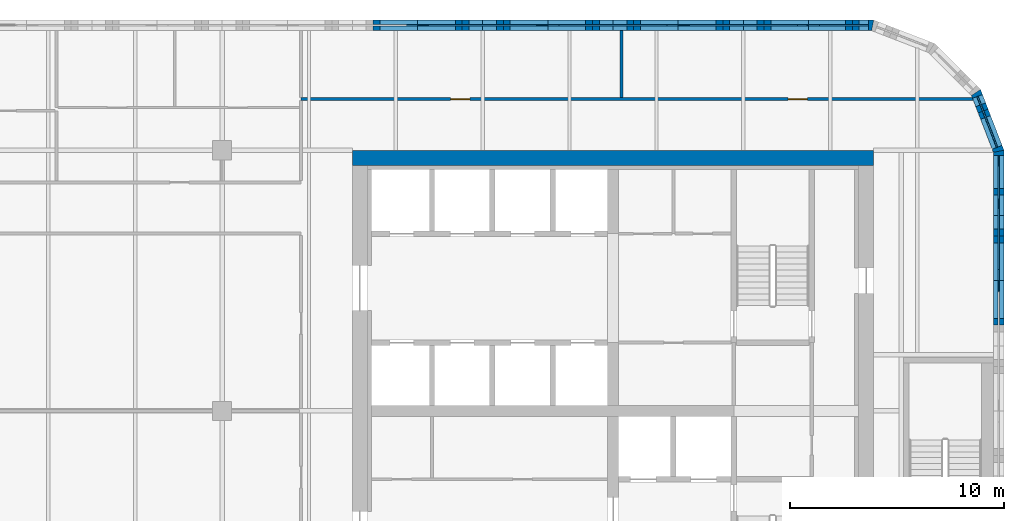
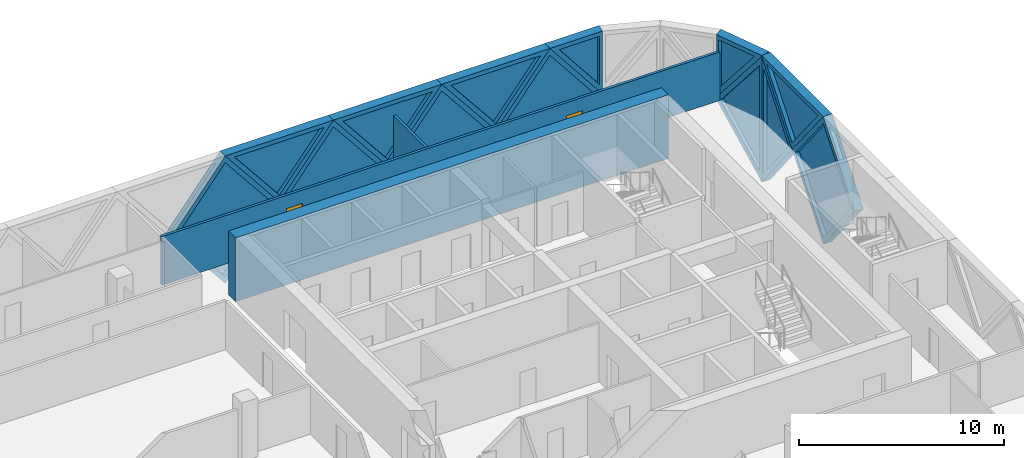
# One storey, part 13 of 15: 16 walls, 13 plates, 2 doors, 15 openings.
"""IFC4 building model written with IfcOpenShell, lengths in metres."""

from ifc_helpers import new_model, si_unit, direction, frame, frame_2d, origin, place, context, subcontext, project, spatial, polyline, rectangle, outline, extrude, faceted_brep, source, transform, mapped, material, layer, layer_set, type_object, element, fill, save


model = new_model("IFC4")

# Units and contexts
model_context = context("Model", 3, precision=1e-05, world=origin(), true_north=direction((0.0, 1.0)))
body_context = subcontext(model_context, "Body", "Model", "MODEL_VIEW")
ifc_project = project(units=[si_unit("LENGTHUNIT", "METRE"), si_unit("AREAUNIT", "SQUARE_METRE"), si_unit("VOLUMEUNIT", "CUBIC_METRE"), si_unit("PLANEANGLEUNIT", "RADIAN"), si_unit("MASSUNIT", "GRAM", prefix="KILO")], contexts=[model_context])

# Site, building, storey
site_placement = place(None, origin())
site = spatial("IfcSite", under=ifc_project, at=site_placement, CompositionType="ELEMENT")
building_placement = place(site_placement, origin())
building = spatial("IfcBuilding", under=site, at=building_placement, Name="Tessera Gate Towers", CompositionType="ELEMENT")
storey_placement = place(building_placement, frame((0.0, 0.0, 146.800048828125)))
storey = spatial("IfcBuildingStorey", under=building, at=storey_placement, Name="L36", CompositionType="ELEMENT", Elevation=146.800048828125)

# Wall
ifc_material_1 = material(Name="Concrete C60/75", Category="concrete")
ifc_layer_1 = layer(ifc_material_1, 0.699951171875)
ifc_layer_set_1 = layer_set([ifc_layer_1], Name="CORE SHEAR WALL 700 C60/75")
wall_type_1 = type_object("IfcWallType", Name="CORE SHEAR WALL 700 C60/75", PredefinedType="SHEAR", material=ifc_layer_set_1)
wall_1_placement = place(storey_placement, frame((30.5, 48.449951171875, 0.0), z_axis=(0.0, 0.0, 1.0), x_axis=(1.0, 0.0, 0.0)))
element("IfcWall", 1, at=wall_1_placement, inside=storey, type_object=wall_type_1, Name="Core wall N L36", PredefinedType="SHEAR", context=body_context, shape_type="SweptSolid", body=[
    extrude(rectangle(XDim=24.39990234375, YDim=0.699951171875, at=frame_2d((12.199951171875, 0.0))), origin(), (0.0, 0.0, 1.0), 3.800048828125),
])

# Wall, openings, doors
ifc_material_2 = material(Name="Gypsum board on steel studs, mineral wool", Category="steel")
ifc_layer_2 = layer(ifc_material_2, 0.14990234375)
ifc_layer_set_2 = layer_set([ifc_layer_2], Name="CORRIDOR WALL 150")
wall_type_2 = type_object("IfcWallType", Name="CORRIDOR WALL 150", PredefinedType="PARTITIONING", material=ifc_layer_set_2)
wall_2_placement = place(storey_placement, frame((28.10009765625, 51.199951171875, 0.0), z_axis=(0.0, 0.0, 1.0), x_axis=(1.0, 0.0, 0.0)))
wall_2 = element("IfcWall", 2, at=wall_2_placement, inside=storey, type_object=wall_type_2, Name="T1-L36-PW-052", PredefinedType="PARTITIONING", context=body_context, shape_type="SweptSolid", body=[
    extrude(rectangle(XDim=31.438232421875, YDim=0.14990234375, at=frame_2d((15.71923828125, 0.0))), origin(), (0.0, 0.0, 1.0), 2.887939453125),
])
shared_shape_1 = source(origin(), body_context, "Body", "SweptSolid", [
    extrude(rectangle(XDim=0.89990234375, YDim=2.10009765625, at=frame_2d((0.449951171875, 1.050048828125))), frame((0.0, 0.0849609375, 0.0), z_axis=(0.0, -1.0, 0.0), x_axis=(1.0, 0.0, 0.0)), (0.0, 0.0, 1.0), 0.169921875),
])
opening_1_placement = place(wall_2_placement, frame((7.0, 0.0, 0.0)))
opening_1 = element("IfcOpeningElement", 3, at=opening_1_placement, cuts=wall_2, Name="Opening D890FD60-A13-07", PredefinedType="OPENING", context=body_context, shape_type="MappedRepresentation", body=[
    mapped(shared_shape_1, transform((0.0, 0.0, 0.0), scale=1.0)),
])
opening_2_placement = place(wall_2_placement, frame((22.800048828125, 0.0, 0.0)))
opening_2 = element("IfcOpeningElement", 4, at=opening_2_placement, cuts=wall_2, Name="Opening D890FD60-A13-08", PredefinedType="OPENING", context=body_context, shape_type="MappedRepresentation", body=[
    mapped(shared_shape_1, transform((0.0, 0.0, 0.0), scale=1.0)),
])
ifc_material_3 = material(Name="Timber door leaf in steel frame", Category="steel")
door_type = type_object("IfcDoorType", Name="CORRIDOR DOOR 900 FD60", OperationType="NOTDEFINED", PredefinedType="DOOR", material=ifc_material_3)
shared_shape_2 = source(origin(), body_context, "Body", "SweptSolid", [
    extrude(rectangle(XDim=0.89990234375, YDim=2.10009765625, at=frame_2d((0.449951171875, 1.050048828125))), frame((0.0, 0.02490234375, 0.0), z_axis=(0.0, -1.0, 0.0), x_axis=(1.0, 0.0, 0.0)), (0.0, 0.0, 1.0), 0.050048828125),
])
door_1_placement = place(opening_1_placement, origin())
door_1 = element("IfcDoor", 5, at=door_1_placement, inside=storey, type_object=door_type, Name="T1-L36-PD-028", OperationType="SINGLE_SWING_LEFT", OverallHeight=2.10009765625, OverallWidth=0.89990234375, PredefinedType="DOOR", context=body_context, shape_type="MappedRepresentation", body=[
    mapped(shared_shape_2, transform((0.0, 0.0, 0.0), scale=1.0)),
])
fill(opening_1, door_1)
door_2_placement = place(opening_2_placement, origin())
door_2 = element("IfcDoor", 6, at=door_2_placement, inside=storey, type_object=door_type, Name="T1-L36-PD-029", OperationType="SINGLE_SWING_LEFT", OverallHeight=2.10009765625, OverallWidth=0.89990234375, PredefinedType="DOOR", context=body_context, shape_type="MappedRepresentation", body=[
    mapped(shared_shape_2, transform((0.0, 0.0, 0.0), scale=1.0)),
])
fill(opening_2, door_2)

# Wall
ifc_material_4 = material(Name="Gypsum board on steel studs, mineral wool", Category="steel")
ifc_layer_3 = layer(ifc_material_4, 0.14990234375)
ifc_layer_set_3 = layer_set([ifc_layer_3], Name="TENANCY WALL 150")
wall_type_3 = type_object("IfcWallType", Name="TENANCY WALL 150", PredefinedType="PARTITIONING", material=ifc_layer_set_3)
wall_3_placement = place(storey_placement, frame((43.10009765625, 51.27587890625, 0.0), z_axis=(0.0, 0.0, 1.0), x_axis=(0.0, 1.0, 0.0)))
element("IfcWall", 7, at=wall_3_placement, inside=storey, type_object=wall_type_3, Name="T1-L36-PW-054", PredefinedType="PARTITIONING", context=body_context, shape_type="SweptSolid", body=[
    extrude(rectangle(XDim=3.1240234375, YDim=0.14990234375, at=frame_2d((1.56201171875, 0.0))), origin(), (0.0, 0.0, 1.0), 2.887939453125),
])

# Wall, opening, plate
ifc_material_5 = material(Name="Precast concrete C60/75 white", Category="concrete")
ifc_layer_4 = layer(ifc_material_5, 0.5)
ifc_layer_set_4 = layer_set([ifc_layer_4], Name="TS1 tessera")
wall_type_4 = type_object("IfcWallType", Name="TS1 tessera", PredefinedType="SOLIDWALL", material=ifc_layer_set_4)
shared_shape_3 = source(origin(), body_context, "Body", "Brep", [
    faceted_brep([(3.00341796875, -0.25, 0.0), (6.053466796875, -0.25, 3.800048828125), (3.00341796875, -0.25, 7.60009765625), (0.0, -0.25, 3.800048828125), (0.046630859375, 0.25, 3.85888671875), (3.00341796875, 0.25, 7.60009765625), (6.053466796875, 0.25, 3.800048828125), (3.00341796875, 0.25, 0.0), (0.046630859375, 0.25, 3.7412109375), (0.0, 0.0, 3.800048828125)], [[[0, 1, 2, 3]], [[4, 5, 6, 7, 8]], [[7, 6, 1, 0]], [[6, 5, 2, 1]], [[5, 4, 9, 3, 2]], [[8, 7, 0, 3, 9]], [[8, 9, 4]]]),
])
wall_4_placement = place(storey_placement, frame((54.853515625, 54.64990234375, -3.800048828125), z_axis=(0.0, 0.0, 1.0), x_axis=(-1.0, 0.0, 0.0)))
wall_4 = element("IfcWall", 8, at=wall_4_placement, inside=storey, type_object=wall_type_4, Name="Precast tessera T1 TS1-0631", PredefinedType="SOLIDWALL", context=body_context, shape_type="MappedRepresentation", body=[
    mapped(shared_shape_3, transform((0.0, 0.0, 0.0), scale=1.0)),
])
shared_shape_4 = source(origin(), body_context, "Body", "SweptSolid", [
    extrude(outline(polyline([(3.0048828125, 0.4013671875), (5.73291015625, 3.800048828125), (3.0048828125, 7.19873046875), (0.318603515625, 3.800048828125), (3.0048828125, 0.4013671875)])), frame((0.0, 0.260009765625, 0.0), z_axis=(0.0, -1.0, 0.0), x_axis=(1.0, 0.0, 0.0)), (0.0, 0.0, 1.0), 0.52001953125),
])
opening_3_placement = place(wall_4_placement, origin())
opening_3 = element("IfcOpeningElement", 9, at=opening_3_placement, cuts=wall_4, Name="Opening T1-PL2-1287", PredefinedType="OPENING", context=body_context, shape_type="MappedRepresentation", body=[
    mapped(shared_shape_4, transform((0.0, 0.0, 0.0), scale=1.0)),
])
ifc_material_6 = material(Name="Low-e laminated glass", Category="glass")
ifc_layer_5 = layer(ifc_material_6, 0.06005859375)
ifc_layer_set_5 = layer_set([ifc_layer_5], Name="PL2 rhombic pane")
plate_type_1 = type_object("IfcPlateType", Name="PL2 rhombic pane", PredefinedType="SHEET", material=ifc_layer_set_5)
shared_shape_5 = source(origin(), body_context, "Body", "SweptSolid", [
    extrude(outline(polyline([(3.0048828125, 0.4013671875), (5.73291015625, 3.800048828125), (3.0048828125, 7.19873046875), (0.318603515625, 3.800048828125), (3.0048828125, 0.4013671875)])), frame((0.0, 0.030029296875, 0.0), z_axis=(0.0, -1.0, 0.0), x_axis=(1.0, 0.0, 0.0)), (0.0, 0.0, 1.0), 0.06005859375),
])
plate_1_placement = place(opening_3_placement, origin())
plate_1 = element("IfcPlate", 10, at=plate_1_placement, inside=storey, type_object=plate_type_1, Name="Glass pane T1 PL2-1287", PredefinedType="SHEET", context=body_context, shape_type="MappedRepresentation", body=[
    mapped(shared_shape_5, transform((0.0, 0.0, 0.0), scale=1.0)),
])
fill(opening_3, plate_1)

shared_shape_6 = source(origin(), body_context, "Body", "Brep", [
    faceted_brep([(3.050048828125, -0.25, 0.0), (6.099853515625, -0.25, 3.7998046875), (6.099853515625, -0.25, 3.80029296875), (3.050048828125, -0.25, 7.60009765625), (0.0, -0.25, 3.800048828125), (0.0, 0.25, 3.800048828125), (3.050048828125, 0.25, 7.60009765625), (6.099853515625, 0.25, 3.80029296875), (6.099853515625, 0.25, 3.7998046875), (3.050048828125, 0.25, 0.0)], [[[0, 1, 2, 3, 4]], [[5, 6, 7, 8, 9]], [[9, 8, 1, 0]], [[7, 6, 3, 2]], [[6, 5, 4, 3]], [[5, 9, 0, 4]], [[1, 8, 7, 2]]]),
])
wall_5_placement = place(storey_placement, frame((42.699951171875, 54.64990234375, -3.800048828125), z_axis=(0.0, 0.0, 1.0), x_axis=(-1.0, 0.0, 0.0)))
wall_5 = element("IfcWall", 11, at=wall_5_placement, inside=storey, type_object=wall_type_4, Name="Precast tessera T1 TS1-0633", PredefinedType="SOLIDWALL", context=body_context, shape_type="MappedRepresentation", body=[
    mapped(shared_shape_6, transform((0.0, 0.0, 0.0), scale=1.0)),
])
shared_shape_7 = source(origin(), body_context, "Body", "SweptSolid", [
    extrude(outline(polyline([(3.050048828125, 0.3994140625), (5.779541015625, 3.800048828125), (3.050048828125, 7.20068359375), (0.320556640625, 3.800048828125), (3.050048828125, 0.3994140625)])), frame((0.0, 0.260009765625, 0.0), z_axis=(0.0, -1.0, 0.0), x_axis=(1.0, 0.0, 0.0)), (0.0, 0.0, 1.0), 0.52001953125),
])
opening_4_placement = place(wall_5_placement, origin())
opening_4 = element("IfcOpeningElement", 12, at=opening_4_placement, cuts=wall_5, Name="Opening T1-PL2-1289", PredefinedType="OPENING", context=body_context, shape_type="MappedRepresentation", body=[
    mapped(shared_shape_7, transform((0.0, 0.0, 0.0), scale=1.0)),
])
shared_shape_8 = source(origin(), body_context, "Body", "SweptSolid", [
    extrude(outline(polyline([(3.050048828125, 0.3994140625), (5.779541015625, 3.800048828125), (3.050048828125, 7.20068359375), (0.320556640625, 3.800048828125), (3.050048828125, 0.3994140625)])), frame((0.0, 0.030029296875, 0.0), z_axis=(0.0, -1.0, 0.0), x_axis=(1.0, 0.0, 0.0)), (0.0, 0.0, 1.0), 0.06005859375),
])
plate_2_placement = place(opening_4_placement, origin())
plate_2 = element("IfcPlate", 13, at=plate_2_placement, inside=storey, type_object=plate_type_1, Name="Glass pane T1 PL2-1289", PredefinedType="SHEET", context=body_context, shape_type="MappedRepresentation", body=[
    mapped(shared_shape_8, transform((0.0, 0.0, 0.0), scale=1.0)),
])
fill(opening_4, plate_2)

shared_shape_9 = source(origin(), body_context, "Body", "SweptSolid", [
    extrude(outline(polyline([(3.050048828125, 0.0), (6.10009765625, 3.800048828125), (3.050048828125, 7.60009765625), (0.0, 3.800048828125), (3.050048828125, 0.0)])), frame((0.0, 0.25, 0.0), z_axis=(0.0, -1.0, 0.0), x_axis=(1.0, 0.0, 0.0)), (0.0, 0.0, 1.0), 0.5),
])
wall_6_placement = place(storey_placement, frame((60.75, 39.64990234375, -3.800048828125), z_axis=(0.0, 0.0, 1.0), x_axis=(0.0, 1.0, 0.0)))
wall_6 = element("IfcWall", 14, at=wall_6_placement, inside=storey, type_object=wall_type_4, Name="Precast tessera T1 TS1-0630", PredefinedType="SOLIDWALL", context=body_context, shape_type="MappedRepresentation", body=[
    mapped(shared_shape_9, transform((0.0, 0.0, 0.0), scale=1.0)),
])
opening_5_placement = place(wall_6_placement, origin())
opening_5 = element("IfcOpeningElement", 15, at=opening_5_placement, cuts=wall_6, Name="Opening T1-PL2-1282", PredefinedType="OPENING", context=body_context, shape_type="MappedRepresentation", body=[
    mapped(shared_shape_7, transform((0.0, 0.0, 0.0), scale=1.0)),
])
plate_3_placement = place(opening_5_placement, origin())
plate_3 = element("IfcPlate", 16, at=plate_3_placement, inside=storey, type_object=plate_type_1, Name="Glass pane T1 PL2-1282", PredefinedType="SHEET", context=body_context, shape_type="MappedRepresentation", body=[
    mapped(shared_shape_8, transform((0.0, 0.0, 0.0), scale=1.0)),
])
fill(opening_5, plate_3)

wall_7_placement = place(storey_placement, frame((48.800048828125, 54.64990234375, -3.800048828125), z_axis=(0.0, 0.0, 1.0), x_axis=(-1.0, 0.0, 0.0)))
wall_7 = element("IfcWall", 17, at=wall_7_placement, inside=storey, type_object=wall_type_4, Name="Precast tessera T1 TS1-0632", PredefinedType="SOLIDWALL", context=body_context, shape_type="MappedRepresentation", body=[
    mapped(shared_shape_9, transform((0.0, 0.0, 0.0), scale=1.0)),
])
opening_6_placement = place(wall_7_placement, origin())
opening_6 = element("IfcOpeningElement", 18, at=opening_6_placement, cuts=wall_7, Name="Opening T1-PL2-1288", PredefinedType="OPENING", context=body_context, shape_type="MappedRepresentation", body=[
    mapped(shared_shape_7, transform((0.0, 0.0, 0.0), scale=1.0)),
])
plate_4_placement = place(opening_6_placement, origin())
plate_4 = element("IfcPlate", 19, at=plate_4_placement, inside=storey, type_object=plate_type_1, Name="Glass pane T1 PL2-1288", PredefinedType="SHEET", context=body_context, shape_type="MappedRepresentation", body=[
    mapped(shared_shape_8, transform((0.0, 0.0, 0.0), scale=1.0)),
])
fill(opening_6, plate_4)

wall_8_placement = place(storey_placement, frame((36.60009765625, 54.64990234375, -3.800048828125), z_axis=(0.0, 0.0, 1.0), x_axis=(-1.0, 0.0, 0.0)))
wall_8 = element("IfcWall", 20, at=wall_8_placement, inside=storey, type_object=wall_type_4, Name="Precast tessera T1 TS1-0634", PredefinedType="SOLIDWALL", context=body_context, shape_type="MappedRepresentation", body=[
    mapped(shared_shape_9, transform((0.0, 0.0, 0.0), scale=1.0)),
])
opening_7_placement = place(wall_8_placement, origin())
opening_7 = element("IfcOpeningElement", 21, at=opening_7_placement, cuts=wall_8, Name="Opening T1-PL2-1290", PredefinedType="OPENING", context=body_context, shape_type="MappedRepresentation", body=[
    mapped(shared_shape_7, transform((0.0, 0.0, 0.0), scale=1.0)),
])
plate_5_placement = place(opening_7_placement, origin())
plate_5 = element("IfcPlate", 22, at=plate_5_placement, inside=storey, type_object=plate_type_1, Name="Glass pane T1 PL2-1290", PredefinedType="SHEET", context=body_context, shape_type="MappedRepresentation", body=[
    mapped(shared_shape_8, transform((0.0, 0.0, 0.0), scale=1.0)),
])
fill(opening_7, plate_5)

ifc_material_7 = material(Name="Precast concrete C60/75 white", Category="concrete")
ifc_layer_6 = layer(ifc_material_7, 0.5)
ifc_layer_set_6 = layer_set([ifc_layer_6], Name="TS3 corner tessera")
wall_type_5 = type_object("IfcWallType", Name="TS3 corner tessera", PredefinedType="SOLIDWALL", material=ifc_layer_set_6)
shared_shape_10 = source(origin(), body_context, "Body", "Brep", [
    faceted_brep([(3.00341796875, -0.25, 0.0), (3.050048828125, -0.25, 0.06005859375), (3.050048828125, -0.25, 7.5400390625), (3.00341796875, -0.25, 7.60009765625), (0.0, -0.25, 3.800048828125), (0.0, 0.25, 3.800048828125), (2.956787109375, 0.25, 7.541259765625), (2.956787109375, 0.25, 0.058837890625), (3.00341796875, 0.000244140625, 0.0), (3.00341796875, 0.000244140625, 7.60009765625)], [[[0, 1, 2, 3, 4]], [[5, 6, 7]], [[1, 0, 8]], [[9, 3, 2]], [[6, 5, 4, 3, 9]], [[5, 7, 8, 0, 4]], [[1, 8, 7, 6, 9, 2]]]),
])
wall_9_placement = place(storey_placement, frame((60.75, 45.75, -3.800048828125), z_axis=(0.0, 0.0, 1.0), x_axis=(0.0, 1.0, 0.0)))
wall_9 = element("IfcWall", 23, at=wall_9_placement, inside=storey, type_object=wall_type_5, Name="Precast corner tessera T1 TS3-0821", PredefinedType="SOLIDWALL", context=body_context, shape_type="MappedRepresentation", body=[
    mapped(shared_shape_10, transform((0.0, 0.0, 0.0), scale=1.0)),
])
shared_shape_11 = source(origin(), body_context, "Body", "SweptSolid", [
    extrude(outline(polyline([(2.803466796875, 6.94384765625), (0.318603515625, 3.800048828125), (2.803466796875, 0.65625), (2.803466796875, 6.94384765625)])), frame((0.0, 0.260009765625, 0.0), z_axis=(0.0, -1.0, 0.0), x_axis=(1.0, 0.0, 0.0)), (0.0, 0.0, 1.0), 0.52001953125),
])
opening_8_placement = place(wall_9_placement, origin())
opening_8 = element("IfcOpeningElement", 24, at=opening_8_placement, cuts=wall_9, Name="Opening T1-PL2-1283", PredefinedType="OPENING", context=body_context, shape_type="MappedRepresentation", body=[
    mapped(shared_shape_11, transform((0.0, 0.0, 0.0), scale=1.0)),
])
shared_shape_12 = source(origin(), body_context, "Body", "SweptSolid", [
    extrude(outline(polyline([(2.803466796875, 6.94384765625), (0.318603515625, 3.800048828125), (2.803466796875, 0.65625), (2.803466796875, 6.94384765625)])), frame((0.0, 0.030029296875, 0.0), z_axis=(0.0, -1.0, 0.0), x_axis=(1.0, 0.0, 0.0)), (0.0, 0.0, 1.0), 0.06005859375),
])
plate_6_placement = place(opening_8_placement, origin())
plate_6 = element("IfcPlate", 25, at=plate_6_placement, inside=storey, type_object=plate_type_1, Name="Glass pane T1 PL2-1283", PredefinedType="SHEET", context=body_context, shape_type="MappedRepresentation", body=[
    mapped(shared_shape_12, transform((0.0, 0.0, 0.0), scale=1.0)),
])
fill(opening_8, plate_6)

shared_shape_13 = source(origin(), body_context, "Body", "Brep", [
    faceted_brep([(0.046630859375, -0.25, 0.0), (2.9970703125, -0.25, 3.800048828125), (0.046630859375, -0.25, 7.60009765625), (0.0, -0.25, 7.541259765625), (0.0, -0.25, 0.058837890625), (0.09326171875, 0.25, 7.5400390625), (2.9443359375, 0.25, 3.8681640625), (2.9443359375, 0.25, 3.73193359375), (0.09326171875, 0.25, 0.06005859375), (2.9970703125, 0.00048828125, 3.800048828125), (0.046630859375, 0.0, 0.0), (0.046630859375, 0.0, 7.60009765625)], [[[0, 1, 2, 3, 4]], [[5, 6, 7, 8]], [[8, 7, 9, 1, 0, 10]], [[6, 5, 11, 2, 1, 9]], [[3, 2, 11]], [[10, 0, 4]], [[8, 10, 4, 3, 11, 5]], [[9, 7, 6]]]),
])
wall_10_placement = place(storey_placement, frame((60.766845703125, 48.7099609375, -3.800048828125), z_axis=(0.0, 0.0, 1.0), x_axis=(-0.359901446078, 0.932990326376, 0.0)))
wall_10 = element("IfcWall", 26, at=wall_10_placement, inside=storey, type_object=wall_type_5, Name="Precast corner tessera T1 TS3-0822", PredefinedType="SOLIDWALL", context=body_context, shape_type="MappedRepresentation", body=[
    mapped(shared_shape_13, transform((0.0, 0.0, 0.0), scale=1.0)),
])
shared_shape_14 = source(origin(), body_context, "Body", "SweptSolid", [
    extrude(outline(polyline([(0.24658203125, 0.665283203125), (2.6806640625, 3.800048828125), (0.24658203125, 6.934814453125), (0.24658203125, 0.665283203125)])), frame((0.0, 0.260009765625, 0.0), z_axis=(0.0, -1.0, 0.0), x_axis=(1.0, 0.0, 0.0)), (0.0, 0.0, 1.0), 0.52001953125),
])
opening_9_placement = place(wall_10_placement, origin())
opening_9 = element("IfcOpeningElement", 27, at=opening_9_placement, cuts=wall_10, Name="Opening T1-PL2-1284", PredefinedType="OPENING", context=body_context, shape_type="MappedRepresentation", body=[
    mapped(shared_shape_14, transform((0.0, 0.0, 0.0), scale=1.0)),
])
shared_shape_15 = source(origin(), body_context, "Body", "SweptSolid", [
    extrude(outline(polyline([(0.24658203125, 0.665283203125), (2.6806640625, 3.800048828125), (0.24658203125, 6.934814453125), (0.24658203125, 0.665283203125)])), frame((0.0, 0.030029296875, 0.0), z_axis=(0.0, -1.0, 0.0), x_axis=(1.0, 0.0, 0.0)), (0.0, 0.0, 1.0), 0.06005859375),
])
plate_7_placement = place(opening_9_placement, origin())
plate_7 = element("IfcPlate", 28, at=plate_7_placement, inside=storey, type_object=plate_type_1, Name="Glass pane T1 PL2-1284", PredefinedType="SHEET", context=body_context, shape_type="MappedRepresentation", body=[
    mapped(shared_shape_15, transform((0.0, 0.0, 0.0), scale=1.0)),
])
fill(opening_9, plate_7)

shared_shape_16 = source(origin(), body_context, "Body", "Brep", [
    faceted_brep([(0.046630859375, -0.25, 0.0), (3.050048828125, -0.25, 3.800048828125), (0.0, -0.25, 3.800048828125), (0.0, -0.25, 0.06005859375), (0.09326171875, 0.25, 3.800048828125), (3.050048828125, 0.25, 3.800048828125), (0.09326171875, 0.25, 0.058837890625), (0.046630859375, 0.0, 0.0)], [[[0, 1, 2, 3]], [[4, 5, 6]], [[6, 5, 1, 0, 7]], [[5, 4, 2, 1]], [[7, 0, 3]], [[6, 7, 3, 2, 4]]]),
])
wall_11_placement = place(storey_placement, frame((54.900146484375, 54.64990234375, 0.0), z_axis=(0.0, 0.0, 1.0), x_axis=(-1.0, 0.0, 0.0)))
wall_11 = element("IfcWall", 29, at=wall_11_placement, inside=storey, type_object=wall_type_5, Name="Precast corner tessera T1 TS3-0850", PredefinedType="SOLIDWALL", context=body_context, shape_type="MappedRepresentation", body=[
    mapped(shared_shape_16, transform((0.0, 0.0, 0.0), scale=1.0)),
])
shared_shape_17 = source(origin(), body_context, "Body", "SweptSolid", [
    extrude(outline(polyline([(0.24658203125, 0.65625), (2.533935546875, 3.550048828125), (0.24658203125, 3.550048828125), (0.24658203125, 0.65625)])), frame((0.0, 0.260009765625, 0.0), z_axis=(0.0, -1.0, 0.0), x_axis=(1.0, 0.0, 0.0)), (0.0, 0.0, 1.0), 0.52001953125),
])
opening_10_placement = place(wall_11_placement, origin())
opening_10 = element("IfcOpeningElement", 30, at=opening_10_placement, cuts=wall_11, Name="Opening T1-PL1-0348", PredefinedType="OPENING", context=body_context, shape_type="MappedRepresentation", body=[
    mapped(shared_shape_17, transform((0.0, 0.0, 0.0), scale=1.0)),
])
ifc_material_8 = material(Name="Low-e laminated glass", Category="glass")
ifc_layer_7 = layer(ifc_material_8, 0.06005859375)
ifc_layer_set_7 = layer_set([ifc_layer_7], Name="PL1 triangular pane")
plate_type_2 = type_object("IfcPlateType", Name="PL1 triangular pane", PredefinedType="SHEET", material=ifc_layer_set_7)
shared_shape_18 = source(origin(), body_context, "Body", "SweptSolid", [
    extrude(outline(polyline([(0.24658203125, 0.65625), (2.533935546875, 3.550048828125), (0.24658203125, 3.550048828125), (0.24658203125, 0.65625)])), frame((0.0, 0.030029296875, 0.0), z_axis=(0.0, -1.0, 0.0), x_axis=(1.0, 0.0, 0.0)), (0.0, 0.0, 1.0), 0.06005859375),
])
plate_8_placement = place(opening_10_placement, origin())
plate_8 = element("IfcPlate", 31, at=plate_8_placement, inside=storey, type_object=plate_type_2, Name="Glass pane T1 PL1-0348", PredefinedType="SHEET", context=body_context, shape_type="MappedRepresentation", body=[
    mapped(shared_shape_18, transform((0.0, 0.0, 0.0), scale=1.0)),
])
fill(opening_10, plate_8)

ifc_material_9 = material(Name="Precast concrete C60/75 white", Category="concrete")
ifc_layer_8 = layer(ifc_material_9, 0.5)
ifc_layer_set_8 = layer_set([ifc_layer_8], Name="TS2 half tessera")
wall_type_6 = type_object("IfcWallType", Name="TS2 half tessera", PredefinedType="SOLIDWALL", material=ifc_layer_set_8)
shared_shape_19 = source(origin(), body_context, "Body", "Brep", [
    faceted_brep([(3.050048828125, -0.25, 0.0), (6.099853515625, -0.25, 3.7998046875), (6.099853515625, -0.25, 3.800048828125), (0.0, -0.25, 3.800048828125), (0.0, 0.25, 3.800048828125), (6.099853515625, 0.25, 3.800048828125), (6.099853515625, 0.25, 3.7998046875), (3.050048828125, 0.25, 0.0)], [[[0, 1, 2, 3]], [[4, 5, 6, 7]], [[7, 6, 1, 0]], [[5, 4, 3, 2]], [[4, 7, 0, 3]], [[1, 6, 5, 2]]]),
])
wall_12_placement = place(storey_placement, frame((39.64990234375, 54.64990234375, 0.0), z_axis=(0.0, 0.0, 1.0), x_axis=(-1.0, 0.0, 0.0)))
wall_12 = element("IfcWall", 32, at=wall_12_placement, inside=storey, type_object=wall_type_6, Name="Precast half tessera T1 TS2-0173", PredefinedType="SOLIDWALL", context=body_context, shape_type="MappedRepresentation", body=[
    mapped(shared_shape_19, transform((0.0, 0.0, 0.0), scale=1.0)),
])
shared_shape_20 = source(origin(), body_context, "Body", "SweptSolid", [
    extrude(outline(polyline([(3.050048828125, 0.3994140625), (5.578857421875, 3.550048828125), (0.521240234375, 3.550048828125), (3.050048828125, 0.3994140625)])), frame((0.0, 0.260009765625, 0.0), z_axis=(0.0, -1.0, 0.0), x_axis=(1.0, 0.0, 0.0)), (0.0, 0.0, 1.0), 0.52001953125),
])
opening_11_placement = place(wall_12_placement, origin())
opening_11 = element("IfcOpeningElement", 33, at=opening_11_placement, cuts=wall_12, Name="Opening T1-PL1-0351", PredefinedType="OPENING", context=body_context, shape_type="MappedRepresentation", body=[
    mapped(shared_shape_20, transform((0.0, 0.0, 0.0), scale=1.0)),
])
shared_shape_21 = source(origin(), body_context, "Body", "SweptSolid", [
    extrude(outline(polyline([(3.050048828125, 0.3994140625), (5.578857421875, 3.550048828125), (0.521240234375, 3.550048828125), (3.050048828125, 0.3994140625)])), frame((0.0, 0.030029296875, 0.0), z_axis=(0.0, -1.0, 0.0), x_axis=(1.0, 0.0, 0.0)), (0.0, 0.0, 1.0), 0.06005859375),
])
plate_9_placement = place(opening_11_placement, origin())
plate_9 = element("IfcPlate", 34, at=plate_9_placement, inside=storey, type_object=plate_type_2, Name="Glass pane T1 PL1-0351", PredefinedType="SHEET", context=body_context, shape_type="MappedRepresentation", body=[
    mapped(shared_shape_21, transform((0.0, 0.0, 0.0), scale=1.0)),
])
fill(opening_11, plate_9)

shared_shape_22 = source(origin(), body_context, "Body", "SweptSolid", [
    extrude(outline(polyline([(3.050048828125, 0.0), (6.10009765625, 3.800048828125), (0.0, 3.800048828125), (3.050048828125, 0.0)])), frame((0.0, 0.25, 0.0), z_axis=(0.0, -1.0, 0.0), x_axis=(1.0, 0.0, 0.0)), (0.0, 0.0, 1.0), 0.5),
])
wall_13_placement = place(storey_placement, frame((51.85009765625, 54.64990234375, 0.0), z_axis=(0.0, 0.0, 1.0), x_axis=(-1.0, 0.0, 0.0)))
wall_13 = element("IfcWall", 35, at=wall_13_placement, inside=storey, type_object=wall_type_6, Name="Precast half tessera T1 TS2-0171", PredefinedType="SOLIDWALL", context=body_context, shape_type="MappedRepresentation", body=[
    mapped(shared_shape_22, transform((0.0, 0.0, 0.0), scale=1.0)),
])
opening_12_placement = place(wall_13_placement, origin())
opening_12 = element("IfcOpeningElement", 36, at=opening_12_placement, cuts=wall_13, Name="Opening T1-PL1-0349", PredefinedType="OPENING", context=body_context, shape_type="MappedRepresentation", body=[
    mapped(shared_shape_20, transform((0.0, 0.0, 0.0), scale=1.0)),
])
plate_10_placement = place(opening_12_placement, origin())
plate_10 = element("IfcPlate", 37, at=plate_10_placement, inside=storey, type_object=plate_type_2, Name="Glass pane T1 PL1-0349", PredefinedType="SHEET", context=body_context, shape_type="MappedRepresentation", body=[
    mapped(shared_shape_21, transform((0.0, 0.0, 0.0), scale=1.0)),
])
fill(opening_12, plate_10)

wall_14_placement = place(storey_placement, frame((45.75, 54.64990234375, 0.0), z_axis=(0.0, 0.0, 1.0), x_axis=(-1.0, 0.0, 0.0)))
wall_14 = element("IfcWall", 38, at=wall_14_placement, inside=storey, type_object=wall_type_6, Name="Precast half tessera T1 TS2-0172", PredefinedType="SOLIDWALL", context=body_context, shape_type="MappedRepresentation", body=[
    mapped(shared_shape_22, transform((0.0, 0.0, 0.0), scale=1.0)),
])
opening_13_placement = place(wall_14_placement, origin())
opening_13 = element("IfcOpeningElement", 39, at=opening_13_placement, cuts=wall_14, Name="Opening T1-PL1-0350", PredefinedType="OPENING", context=body_context, shape_type="MappedRepresentation", body=[
    mapped(shared_shape_20, transform((0.0, 0.0, 0.0), scale=1.0)),
])
plate_11_placement = place(opening_13_placement, origin())
plate_11 = element("IfcPlate", 40, at=plate_11_placement, inside=storey, type_object=plate_type_2, Name="Glass pane T1 PL1-0350", PredefinedType="SHEET", context=body_context, shape_type="MappedRepresentation", body=[
    mapped(shared_shape_21, transform((0.0, 0.0, 0.0), scale=1.0)),
])
fill(opening_13, plate_11)

shared_shape_23 = source(origin(), body_context, "Body", "Brep", [
    faceted_brep([(3.050048828125, -0.25, 0.0), (6.053466796875, -0.25, 3.800048828125), (0.0, -0.25, 3.800048828125), (0.0, 0.25, 3.800048828125), (6.0068359375, 0.25, 3.800048828125), (6.0068359375, 0.25, 3.7412109375), (3.050048828125, 0.25, 0.0), (6.053466796875, 0.0, 3.800048828125)], [[[0, 1, 2]], [[3, 4, 5, 6]], [[6, 5, 7, 1, 0]], [[4, 3, 2, 1, 7]], [[3, 6, 0, 2]], [[5, 4, 7]]]),
])
wall_15_placement = place(storey_placement, frame((60.75, 42.699951171875, 0.0), z_axis=(0.0, 0.0, 1.0), x_axis=(0.0, 1.0, 0.0)))
wall_15 = element("IfcWall", 41, at=wall_15_placement, inside=storey, type_object=wall_type_6, Name="Precast half tessera T1 TS2-0170", PredefinedType="SOLIDWALL", context=body_context, shape_type="MappedRepresentation", body=[
    mapped(shared_shape_23, transform((0.0, 0.0, 0.0), scale=1.0)),
])
shared_shape_24 = source(origin(), body_context, "Body", "SweptSolid", [
    extrude(outline(polyline([(3.048583984375, 0.401123046875), (5.537109375, 3.550048828125), (0.521240234375, 3.550048828125), (3.048583984375, 0.401123046875)])), frame((0.0, 0.260009765625, 0.0), z_axis=(0.0, -1.0, 0.0), x_axis=(1.0, 0.0, 0.0)), (0.0, 0.0, 1.0), 0.52001953125),
])
opening_14_placement = place(wall_15_placement, origin())
opening_14 = element("IfcOpeningElement", 42, at=opening_14_placement, cuts=wall_15, Name="Opening T1-PL1-0344", PredefinedType="OPENING", context=body_context, shape_type="MappedRepresentation", body=[
    mapped(shared_shape_24, transform((0.0, 0.0, 0.0), scale=1.0)),
])
shared_shape_25 = source(origin(), body_context, "Body", "SweptSolid", [
    extrude(outline(polyline([(3.048583984375, 0.401123046875), (5.537109375, 3.550048828125), (0.521240234375, 3.550048828125), (3.048583984375, 0.401123046875)])), frame((0.0, 0.030029296875, 0.0), z_axis=(0.0, -1.0, 0.0), x_axis=(1.0, 0.0, 0.0)), (0.0, 0.0, 1.0), 0.06005859375),
])
plate_12_placement = place(opening_14_placement, origin())
plate_12 = element("IfcPlate", 43, at=plate_12_placement, inside=storey, type_object=plate_type_2, Name="Glass pane T1 PL1-0344", PredefinedType="SHEET", context=body_context, shape_type="MappedRepresentation", body=[
    mapped(shared_shape_25, transform((0.0, 0.0, 0.0), scale=1.0)),
])
fill(opening_14, plate_12)

shared_shape_26 = source(origin(), body_context, "Body", "Brep", [
    faceted_brep([(2.950439453125, -0.25, 0.0), (3.00341796875, -0.25, 0.068359375), (3.00341796875, -0.25, 3.800048828125), (0.0, -0.25, 3.800048828125), (0.046630859375, 0.25, 3.800048828125), (2.897705078125, 0.25, 3.800048828125), (2.897705078125, 0.25, 0.068115234375), (0.046630859375, 0.25, 3.739990234375), (2.950439453125, 0.00048828125, 0.0), (0.0, 0.0, 3.800048828125)], [[[0, 1, 2, 3]], [[4, 5, 6, 7]], [[1, 0, 8]], [[5, 4, 9, 3, 2]], [[7, 6, 8, 0, 3, 9]], [[7, 9, 4]], [[1, 8, 6, 5, 2]]]),
])
wall_16_placement = place(storey_placement, frame((60.75, 48.75341796875, 0.0), z_axis=(0.0, 0.0, 1.0), x_axis=(-0.35992665181, 0.932980602862, 0.0)))
wall_16 = element("IfcWall", 44, at=wall_16_placement, inside=storey, type_object=wall_type_5, Name="Precast corner tessera T1 TS3-0847", PredefinedType="SOLIDWALL", context=body_context, shape_type="MappedRepresentation", body=[
    mapped(shared_shape_26, transform((0.0, 0.0, 0.0), scale=1.0)),
])
shared_shape_27 = source(origin(), body_context, "Body", "SweptSolid", [
    extrude(outline(polyline([(2.75048828125, 3.550048828125), (0.5107421875, 3.550048828125), (2.75048828125, 0.665283203125), (2.75048828125, 3.550048828125)])), frame((0.0, 0.260009765625, 0.0), z_axis=(0.0, -1.0, 0.0), x_axis=(1.0, 0.0, 0.0)), (0.0, 0.0, 1.0), 0.52001953125),
])
opening_15_placement = place(wall_16_placement, origin())
opening_15 = element("IfcOpeningElement", 45, at=opening_15_placement, cuts=wall_16, Name="Opening T1-PL1-0345", PredefinedType="OPENING", context=body_context, shape_type="MappedRepresentation", body=[
    mapped(shared_shape_27, transform((0.0, 0.0, 0.0), scale=1.0)),
])
shared_shape_28 = source(origin(), body_context, "Body", "SweptSolid", [
    extrude(outline(polyline([(2.75048828125, 3.550048828125), (0.5107421875, 3.550048828125), (2.75048828125, 0.665283203125), (2.75048828125, 3.550048828125)])), frame((0.0, 0.030029296875, 0.0), z_axis=(0.0, -1.0, 0.0), x_axis=(1.0, 0.0, 0.0)), (0.0, 0.0, 1.0), 0.06005859375),
])
plate_13_placement = place(opening_15_placement, origin())
plate_13 = element("IfcPlate", 46, at=plate_13_placement, inside=storey, type_object=plate_type_2, Name="Glass pane T1 PL1-0345", PredefinedType="SHEET", context=body_context, shape_type="MappedRepresentation", body=[
    mapped(shared_shape_28, transform((0.0, 0.0, 0.0), scale=1.0)),
])
fill(opening_15, plate_13)

save(model, "model.ifc")
